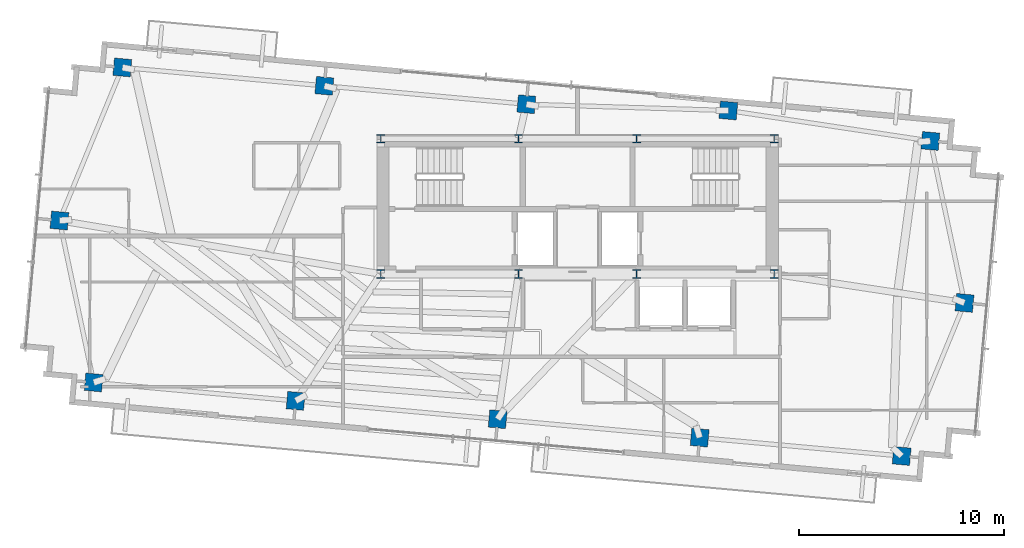
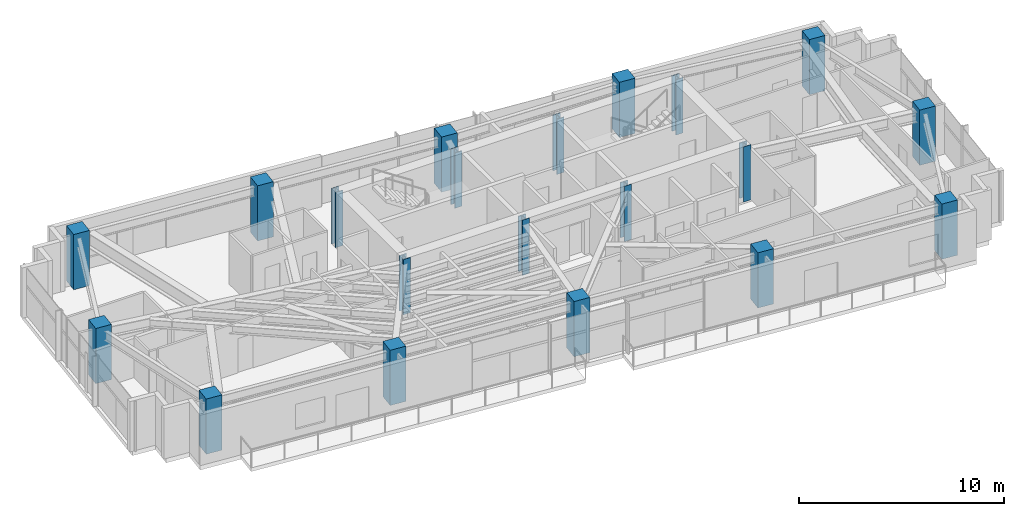
# One storey, part 1 of 22: 20 columns.
"""IFC4 building model written with IfcOpenShell, lengths in metres."""

from ifc_helpers import new_model, si_unit, direction, frame, origin, origin_2d, place, context, subcontext, project, spatial, rectangle, i_section, extrude, source, transform, mapped, material, material_profile, profile_set, type_object, type_shapes, element, save


model = new_model("IFC4")

# Units and contexts
model_context = context("Model", 3, precision=1e-05, world=origin(), true_north=direction((0.0, 1.0)))
body_context = subcontext(model_context, "Body", "Model", "MODEL_VIEW")
ifc_project = project(units=[si_unit("LENGTHUNIT", "METRE"), si_unit("AREAUNIT", "SQUARE_METRE"), si_unit("VOLUMEUNIT", "CUBIC_METRE"), si_unit("PLANEANGLEUNIT", "RADIAN"), si_unit("MASSUNIT", "GRAM", prefix="KILO")], contexts=[model_context])

# Site, building, storey
site_placement = place(None, origin())
site = spatial("IfcSite", under=ifc_project, at=site_placement, CompositionType="ELEMENT")
building_placement = place(site_placement, origin())
building = spatial("IfcBuilding", under=site, at=building_placement, Name="Astriad Promenade Condominiums", CompositionType="ELEMENT")
storey_placement = place(building_placement, frame((0.0, 0.0, 256.199951171875)))
storey = spatial("IfcBuildingStorey", under=building, at=storey_placement, Name="L74", CompositionType="ELEMENT", Elevation=256.199951171875)

# Columns
ifc_material_1 = material(Name="Steel ASTM A992 Grade 50", Category="steel")
ifc_material_profile_1 = material_profile(ifc_material_1, i_section(OverallWidth=0.4091796875, OverallDepth=0.42529296875, WebThickness=0.03271484375, FlangeThickness=0.052490234375, FilletRadius=0.017822265625, at=origin_2d()), Name="W14X283")
ifc_profile_set_1 = profile_set([ifc_material_profile_1], Name="Steel ASTM A992 Grade 50")
column_type_1 = type_object("IfcColumnType", Name="STEEL CORE PILASTER W14X283", PredefinedType="PILASTER", material=ifc_profile_set_1)
shared_shape_1 = source(origin(), body_context, "Body", "SweptSolid", [
    extrude(i_section(OverallWidth=0.4091796875, OverallDepth=0.42529296875, WebThickness=0.03271484375, FlangeThickness=0.052490234375, FilletRadius=0.017822265625, at=origin_2d()), origin(), (0.0, 0.0, 1.0), 3.296142578125),
])
type_shapes(column_type_1, [shared_shape_1])
for number, where, z_axis, x_axis, name in (
    (1, (26.39990234375, 17.39990234375, 0.001953125), (0.0, 0.0, 1.0), (1.0, 0.0, 0.0), "Core Pilaster Column CP1 (L74)"),
    (2, (33.1201171875, 17.39990234375, 0.001953125), (0.0, 0.0, 1.0), (1.0, 0.0, 0.0), "Core Pilaster Column CP2 (L74)"),
    (3, (38.8798828125, 17.39990234375, 0.001953125), (0.0, 0.0, 1.0), (1.0, 0.0, 0.0), "Core Pilaster Column CP3 (L74)"),
    (4, (45.60009765625, 17.39990234375, 0.001953125), (0.0, 0.0, 1.0), (1.0, 0.0, 0.0), "Core Pilaster Column CP4 (L74)"),
    (5, (26.39990234375, 24.0, 0.001953125), (0.0, 0.0, 1.0), (1.0, 0.0, 0.0), "Core Pilaster Column CP5 (L74)"),
    (6, (33.1201171875, 24.0, 0.001953125), (0.0, 0.0, 1.0), (1.0, 0.0, 0.0), "Core Pilaster Column CP6 (L74)"),
    (7, (38.8798828125, 24.0, 0.001953125), (0.0, 0.0, 1.0), (1.0, 0.0, 0.0), "Core Pilaster Column CP7 (L74)"),
    (8, (45.60009765625, 24.0, 0.001953125), (0.0, 0.0, 1.0), (1.0, 0.0, 0.0), "Core Pilaster Column CP8 (L74)"),
):
    element("IfcColumn", number, at=place(storey_placement, frame(where, z_axis=z_axis, x_axis=x_axis)), inside=storey, type_object=column_type_1, Name=name, PredefinedType="PILASTER", context=body_context, shape_type="MappedRepresentation", body=[
        mapped(shared_shape_1, transform((0.0, 0.0, 0.0), scale=1.0)),
    ])
ifc_material_2 = material(Name="Concrete C50/60", Category="concrete")
ifc_material_profile_2 = material_profile(ifc_material_2, rectangle(XDim=0.85009765625, YDim=0.85009765625, at=origin_2d()), Name="RC-COL-850X850")
ifc_profile_set_2 = profile_set([ifc_material_profile_2], Name="Concrete C50/60")
column_type_2 = type_object("IfcColumnType", Name="CONCRETE TOWER COLUMN 850X850", PredefinedType="COLUMN", material=ifc_profile_set_2)
shared_shape_2 = source(origin(), body_context, "Body", "SweptSolid", [
    extrude(rectangle(XDim=0.85009765625, YDim=0.85009765625, at=origin_2d()), origin(), (0.0, 0.0, 1.0), 3.294189453125),
])
type_shapes(column_type_2, [shared_shape_2])
for number, where, z_axis, x_axis, name in (
    (9, (12.3818359375, 12.106201171875, 0.001953125), (0.0, 0.0, 1.0), (0.995884398616, -0.090632580198, 0.0), "Perimeter Column PC01 (L74)"),
    (10, (22.2412109375, 11.208984375, 0.001953125), (0.0, 0.0, 1.0), (0.995884398616, -0.090632580198, 0.0), "Perimeter Column PC02 (L74)"),
    (11, (32.100341796875, 10.311767578125, 0.001953125), (0.0, 0.0, 1.0), (0.995884398616, -0.090632580198, 0.0), "Perimeter Column PC03 (L74)"),
    (12, (41.959716796875, 9.41455078125, 0.001953125), (0.0, 0.0, 1.0), (0.995884398616, -0.090632580198, 0.0), "Perimeter Column PC04 (L74)"),
    (13, (51.81884765625, 8.51708984375, 0.001953125), (0.0, 0.0, 1.0), (0.995884398616, -0.090632580198, 0.0), "Perimeter Column PC05 (L74)"),
    (14, (13.78125, 27.48291015625, 0.001953125), (0.0, 0.0, 1.0), (0.995884398616, -0.090632580198, 0.0), "Perimeter Column PC06 (L74)"),
    (15, (23.640380859375, 26.58544921875, 0.001953125), (0.0, 0.0, 1.0), (0.995884398616, -0.090632580198, 0.0), "Perimeter Column PC07 (L74)"),
    (16, (33.499755859375, 25.688232421875, 0.001953125), (0.0, 0.0, 1.0), (0.995884398616, -0.090632580198, 0.0), "Perimeter Column PC08 (L74)"),
    (17, (43.35888671875, 25.3798828125, 0.001953125), (0.0, 0.0, 1.0), (0.995884398616, -0.090632580198, 0.0), "Perimeter Column PC09 (L74)"),
    (18, (53.21826171875, 23.893798828125, 0.001953125), (0.0, 0.0, 1.0), (0.995884398616, -0.090632580198, 0.0), "Perimeter Column PC10 (L74)"),
    (19, (10.711181640625, 20.01025390625, 0.001953125), (0.0, 0.0, 1.0), (0.995884398616, -0.090632580198, 0.0), "Perimeter Column PC11 (L74)"),
    (20, (54.888671875, 15.98974609375, 0.001953125), (0.0, 0.0, 1.0), (0.995884398616, -0.090632580198, 0.0), "Perimeter Column PC12 (L74)"),
):
    element("IfcColumn", number, at=place(storey_placement, frame(where, z_axis=z_axis, x_axis=x_axis)), inside=storey, type_object=column_type_2, Name=name, PredefinedType="COLUMN", context=body_context, shape_type="MappedRepresentation", body=[
        mapped(shared_shape_2, transform((0.0, 0.0, 0.0), scale=1.0)),
    ])

save(model, "model.ifc")
